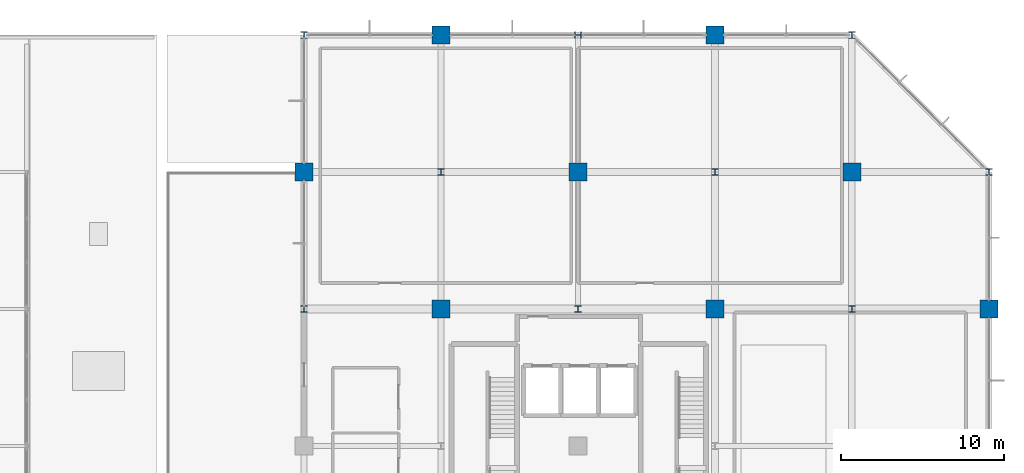
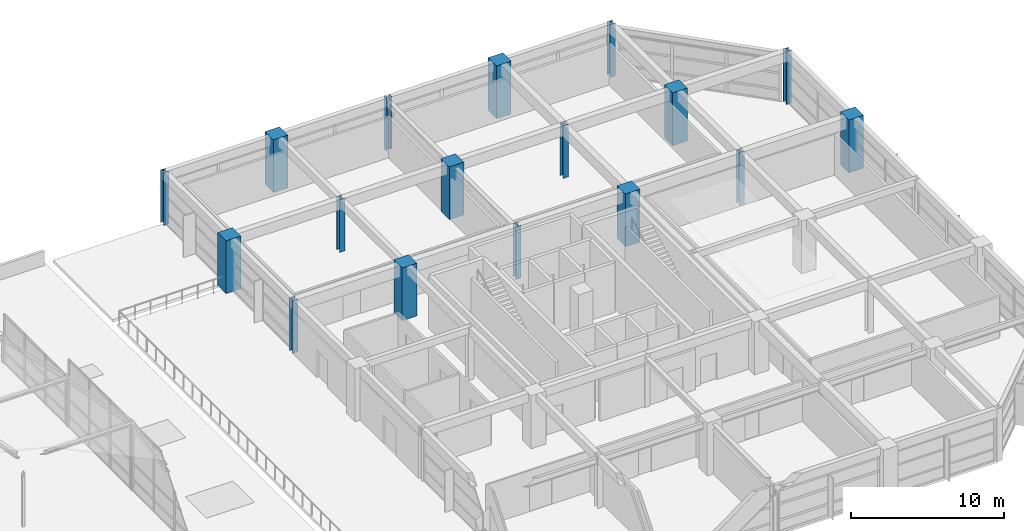
# One storey, part 3 of 34: 17 columns.
"""IFC4 building model written with IfcOpenShell, lengths in metres."""

from ifc_helpers import new_model, si_unit, direction, frame, origin, origin_2d, place, context, subcontext, project, spatial, rectangle, i_section, extrude, material, material_profile, profile_set, type_object, element, save


model = new_model("IFC4")

# Units and contexts
model_context = context("Model", 3, precision=1e-05, world=origin(), true_north=direction((0.0, 1.0)))
body_context = subcontext(model_context, "Body", "Model", "MODEL_VIEW")
ifc_project = project(units=[si_unit("LENGTHUNIT", "METRE"), si_unit("AREAUNIT", "SQUARE_METRE"), si_unit("VOLUMEUNIT", "CUBIC_METRE"), si_unit("PLANEANGLEUNIT", "RADIAN"), si_unit("MASSUNIT", "GRAM", prefix="KILO")], contexts=[model_context])

# Site, building, storey
site_placement = place(None, origin())
site = spatial("IfcSite", under=ifc_project, at=site_placement, CompositionType="ELEMENT")
building_placement = place(site_placement, origin())
building = spatial("IfcBuilding", under=site, at=building_placement, Name="Xuanlan Plaza Opera House", CompositionType="ELEMENT")
storey_placement = place(building_placement, frame((0.0, 0.0, 27.89990234375)))
storey = spatial("IfcBuildingStorey", under=building, at=storey_placement, Name="L06", CompositionType="ELEMENT", Elevation=27.89990234375)

# Columns
ifc_material_1 = material(Name="Concrete C50", Category="concrete")
ifc_material_profile_1 = material_profile(ifc_material_1, rectangle(XDim=1.10009765625, YDim=1.10009765625, at=origin_2d()), Name="RC-COL 1100x1100")
ifc_profile_set_1 = profile_set([ifc_material_profile_1], Name="Concrete C50")
column_type_1 = type_object("IfcColumnType", Name="STR-COL-C-03", PredefinedType="COLUMN", material=ifc_profile_set_1)
for number, where, z_axis, x_axis, name in (
    (1, (126.0, 75.60009765625, 0.0), (0.0, 0.0, 1.0), (1.0, 0.0, 0.0), "Column L06 16-J"),
    (2, (134.39990234375, 67.199951171875, 0.0), (0.0, 0.0, 1.0), (1.0, 0.0, 0.0), "Column L06 17-I"),
    (3, (134.39990234375, 84.0, 0.0), (0.0, 0.0, 1.0), (1.0, 0.0, 0.0), "Column L06 17-K"),
    (4, (142.800048828125, 75.60009765625, 0.0), (0.0, 0.0, 1.0), (1.0, 0.0, 0.0), "Column L06 18-J"),
    (5, (151.199951171875, 67.199951171875, 0.0), (0.0, 0.0, 1.0), (1.0, 0.0, 0.0), "Column L06 19-I"),
    (6, (151.199951171875, 84.0, 0.0), (0.0, 0.0, 1.0), (1.0, 0.0, 0.0), "Column L06 19-K"),
    (7, (159.60009765625, 75.60009765625, 0.0), (0.0, 0.0, 1.0), (1.0, 0.0, 0.0), "Column L06 20-J"),
    (8, (168.0, 67.199951171875, 0.0), (0.0, 0.0, 1.0), (1.0, 0.0, 0.0), "Column L06 21-I"),
):
    element("IfcColumn", number, at=place(storey_placement, frame(where, z_axis=z_axis, x_axis=x_axis)), inside=storey, type_object=column_type_1, Name=name, PredefinedType="COLUMN", context=body_context, shape_type="SweptSolid", body=[
        extrude(rectangle(XDim=1.10009765625, YDim=1.10009765625, at=origin_2d()), origin(), (0.0, 0.0, 1.0), 4.2001953125),
    ])
ifc_material_2 = material(Name="Steel Q355B", Category="steel")
ifc_material_profile_2 = material_profile(ifc_material_2, i_section(OverallWidth=0.39990234375, OverallDepth=0.39990234375, WebThickness=0.012939453125, FlangeThickness=0.02099609375, FilletRadius=0.02197265625, at=origin_2d()), Name="HW 400x400x13x21")
ifc_profile_set_2 = profile_set([ifc_material_profile_2], Name="Steel Q355B")
column_type_2 = type_object("IfcColumnType", Name="STR-COL-C-14", PredefinedType="COLUMN", material=ifc_profile_set_2)
for number, where, z_axis, x_axis, name in (
    (9, (126.0, 67.199951171875, 0.0), (0.0, 0.0, 1.0), (1.0, 0.0, 0.0), "Column L06 16-I"),
    (10, (126.0, 84.0, 0.0), (0.0, 0.0, 1.0), (1.0, 0.0, 0.0), "Column L06 16-K"),
    (11, (134.39990234375, 75.60009765625, 0.0), (0.0, 0.0, 1.0), (1.0, 0.0, 0.0), "Column L06 17-J"),
    (12, (142.800048828125, 67.199951171875, 0.0), (0.0, 0.0, 1.0), (1.0, 0.0, 0.0), "Column L06 18-I"),
    (13, (142.800048828125, 84.0, 0.0), (0.0, 0.0, 1.0), (0.0, 1.0, 0.0), "Column L06 18-K"),
    (14, (151.199951171875, 75.60009765625, 0.0), (0.0, 0.0, 1.0), (1.0, 0.0, 0.0), "Column L06 19-J"),
    (15, (159.60009765625, 67.199951171875, 0.0), (0.0, 0.0, 1.0), (1.0, 0.0, 0.0), "Column L06 20-I"),
    (16, (159.60009765625, 84.0, 0.0), (0.0, 0.0, 1.0), (1.0, 0.0, 0.0), "Column L06 20-K"),
    (17, (168.0, 75.60009765625, 0.0), (0.0, 0.0, 1.0), (1.0, 0.0, 0.0), "Column L06 21-J"),
):
    element("IfcColumn", number, at=place(storey_placement, frame(where, z_axis=z_axis, x_axis=x_axis)), inside=storey, type_object=column_type_2, Name=name, PredefinedType="COLUMN", context=body_context, shape_type="SweptSolid", body=[
        extrude(i_section(OverallWidth=0.39990234375, OverallDepth=0.39990234375, WebThickness=0.012939453125, FlangeThickness=0.02099609375, FilletRadius=0.02197265625, at=origin_2d()), origin(), (0.0, 0.0, 1.0), 4.2001953125),
    ])

save(model, "model.ifc")
